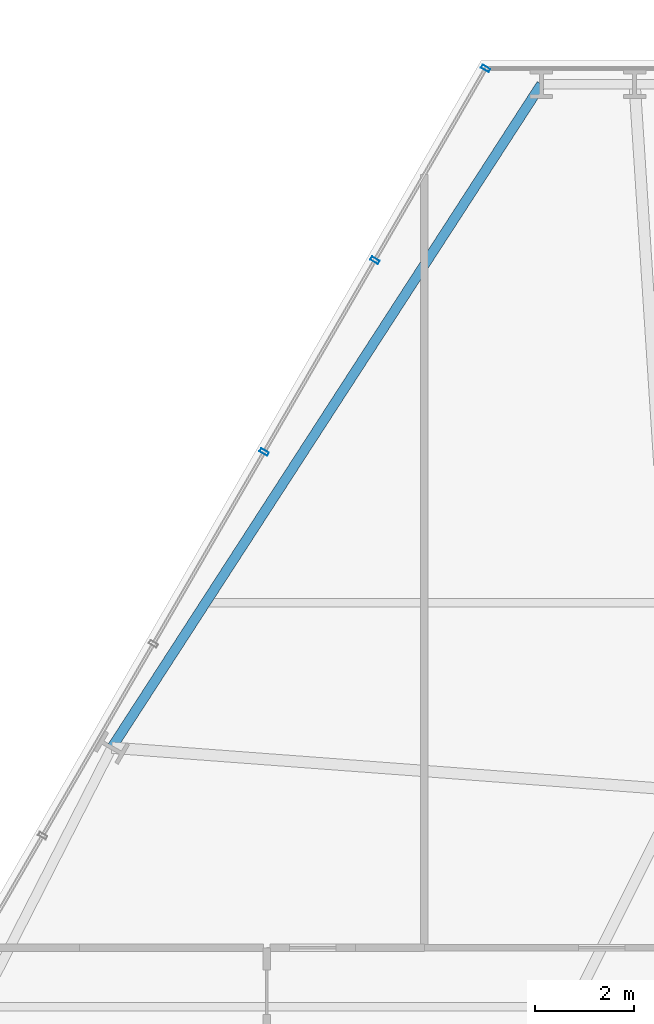
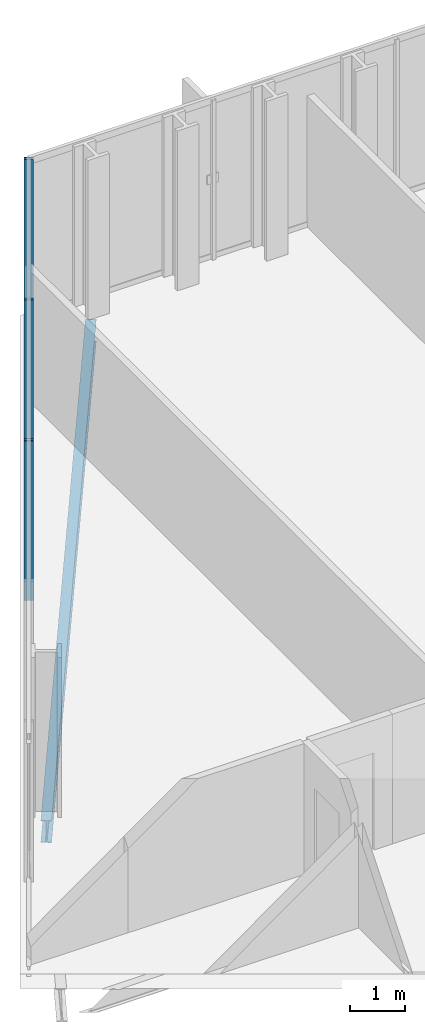
# One storey, part 21 of 32: 3 members, 1 beam, 1 element without a shape of its own.
"""IFC4 building model written with IfcOpenShell, lengths in metres."""

from ifc_helpers import new_model, si_unit, direction, frame, origin, origin_2d, place, context, subcontext, project, spatial, hollow_rectangle, i_section, extrude, material, layer, layer_set, material_profile, profile_set, type_object, element, aggregate, save


model = new_model("IFC4")

# Units and contexts
model_context = context("Model", 3, precision=1e-05, world=origin(), true_north=direction((0.0, 1.0)))
body_context = subcontext(model_context, "Body", "Model", "MODEL_VIEW")
ifc_project = project(units=[si_unit("LENGTHUNIT", "METRE"), si_unit("AREAUNIT", "SQUARE_METRE"), si_unit("VOLUMEUNIT", "CUBIC_METRE"), si_unit("PLANEANGLEUNIT", "RADIAN"), si_unit("MASSUNIT", "GRAM", prefix="KILO")], contexts=[model_context])

# Site, building, storey
site_placement = place(None, origin())
site = spatial("IfcSite", under=ifc_project, at=site_placement, CompositionType="ELEMENT")
building_placement = place(site_placement, origin())
building = spatial("IfcBuilding", under=site, at=building_placement, Name="Ndaravel Arena Tower", CompositionType="ELEMENT")
storey_placement = place(building_placement, frame((0.0, 0.0, 62.60009765625)))
storey = spatial("IfcBuildingStorey", under=building, at=storey_placement, Name="L13", CompositionType="ELEMENT", Elevation=62.60009765625)

# Beam
ifc_material_1 = material(Name="Steel S355", Category="steel")
ifc_material_profile_1 = material_profile(ifc_material_1, i_section(OverallWidth=0.199951171875, OverallDepth=0.5, WebThickness=0.01025390625, FlangeThickness=0.01611328125, FilletRadius=0.02099609375, at=origin_2d()), Name="IPE 500")
ifc_profile_set_1 = profile_set([ifc_material_profile_1], Name="Steel S355")
beam_type = type_object("IfcBeamType", Name="BM-SPAN-IPE500", PredefinedType="SPANDREL", material=ifc_profile_set_1)
beam_placement = place(storey_placement, frame((35.375, 45.52783203125, -0.47021484375), z_axis=(-0.543579319439, -0.839357804204, 0.0), x_axis=(0.839357804204, -0.543579319439, 0.0)))
element("IfcBeam", 1, at=beam_placement, inside=storey, type_object=beam_type, Name="L13 Perimeter Spandrel Beam SP-18", PredefinedType="SPANDREL", context=body_context, shape_type="SweptSolid", body=[
    extrude(i_section(OverallWidth=0.199951171875, OverallDepth=0.5, WebThickness=0.01025390625, FlangeThickness=0.01611328125, FilletRadius=0.02099609375, at=origin_2d()), origin(), (0.0, 0.0, 1.0), 16.04443359375),
])

# Curtain wall, members
ifc_material_2 = material(Name="Aluminium", Category="aluminium")
ifc_layer = layer(ifc_material_2, 0.179931640625)
ifc_layer_set = layer_set([ifc_layer], Name="Aluminium")
curtain_wall_type = type_object("IfcCurtainWallType", Name="CW-SYS-03", PredefinedType="NOTDEFINED", material=ifc_layer_set)
curtain_wall_placement = place(storey_placement, origin())
curtain_wall = element("IfcCurtainWall", 2, at=curtain_wall_placement, inside=storey, type_object=curtain_wall_type, Name="L13 Faceted Crystal Curtain Wall CW-L13-E05", PredefinedType="NOTDEFINED")
ifc_material_3 = material(Name="Aluminium", Category="aluminium")
ifc_material_profile_2 = material_profile(ifc_material_3, hollow_rectangle(XDim=0.074951171875, YDim=0.179931640625, WallThickness=0.00390625, at=origin_2d()), Name="CW MULLION 75x180x4")
ifc_profile_set_2 = profile_set([ifc_material_profile_2], Name="Aluminium")
member_type = type_object("IfcMemberType", Name="MEM-CW-MUL180", PredefinedType="MULLION", material=ifc_profile_set_2)
member_1_placement = place(storey_placement, frame((34.243896484375, 45.847900390625, 0.0), z_axis=(0.0, 0.0, 1.0), x_axis=(-0.5, -0.866025403784, 0.0)))
member_1 = element("IfcMember", 3, at=member_1_placement, type_object=member_type, Name="CW-L13-E05 Mullion 00", PredefinedType="MULLION", context=body_context, shape_type="SweptSolid", body=[
    extrude(hollow_rectangle(XDim=0.074951171875, YDim=0.179931640625, WallThickness=0.00390625, at=origin_2d()), origin(), (0.0, 0.0, 1.0), 3.579833984375),
])
member_2_placement = place(storey_placement, frame((31.99609375, 41.95458984375, 0.0), z_axis=(0.0, 0.0, 1.0), x_axis=(-0.5, -0.866025403784, 0.0)))
member_2 = element("IfcMember", 4, at=member_2_placement, type_object=member_type, Name="CW-L13-E05 Mullion 01", PredefinedType="MULLION", context=body_context, shape_type="SweptSolid", body=[
    extrude(hollow_rectangle(XDim=0.074951171875, YDim=0.179931640625, WallThickness=0.00390625, at=origin_2d()), origin(), (0.0, 0.0, 1.0), 3.579833984375),
])
member_3_placement = place(storey_placement, frame((29.748291015625, 38.06103515625, 0.0), z_axis=(0.0, 0.0, 1.0), x_axis=(-0.5, -0.866025403784, 0.0)))
member_3 = element("IfcMember", 5, at=member_3_placement, type_object=member_type, Name="CW-L13-E05 Mullion 02", PredefinedType="MULLION", context=body_context, shape_type="SweptSolid", body=[
    extrude(hollow_rectangle(XDim=0.074951171875, YDim=0.179931640625, WallThickness=0.00390625, at=origin_2d()), origin(), (0.0, 0.0, 1.0), 3.579833984375),
])
aggregate(curtain_wall, [member_1, member_2, member_3])

save(model, "model.ifc")
